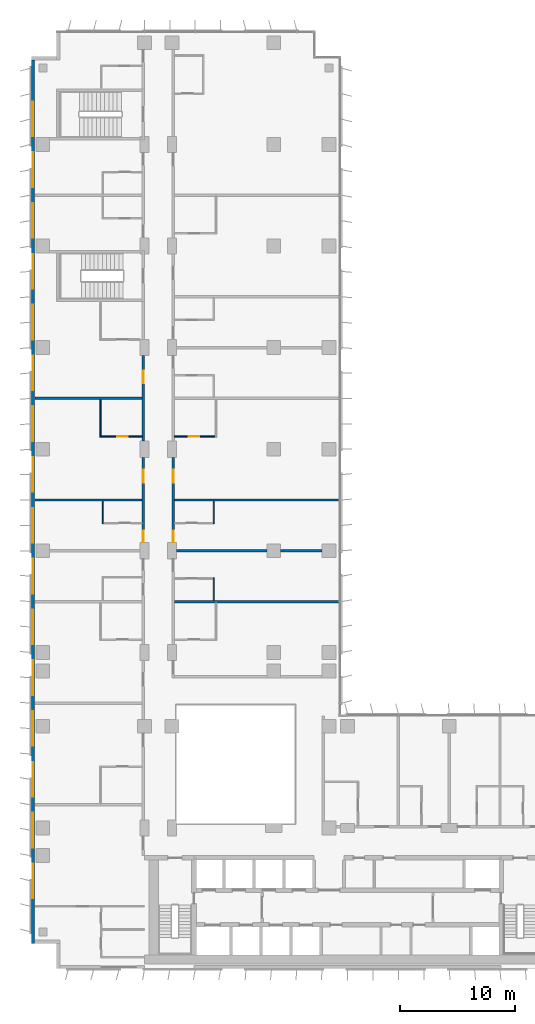
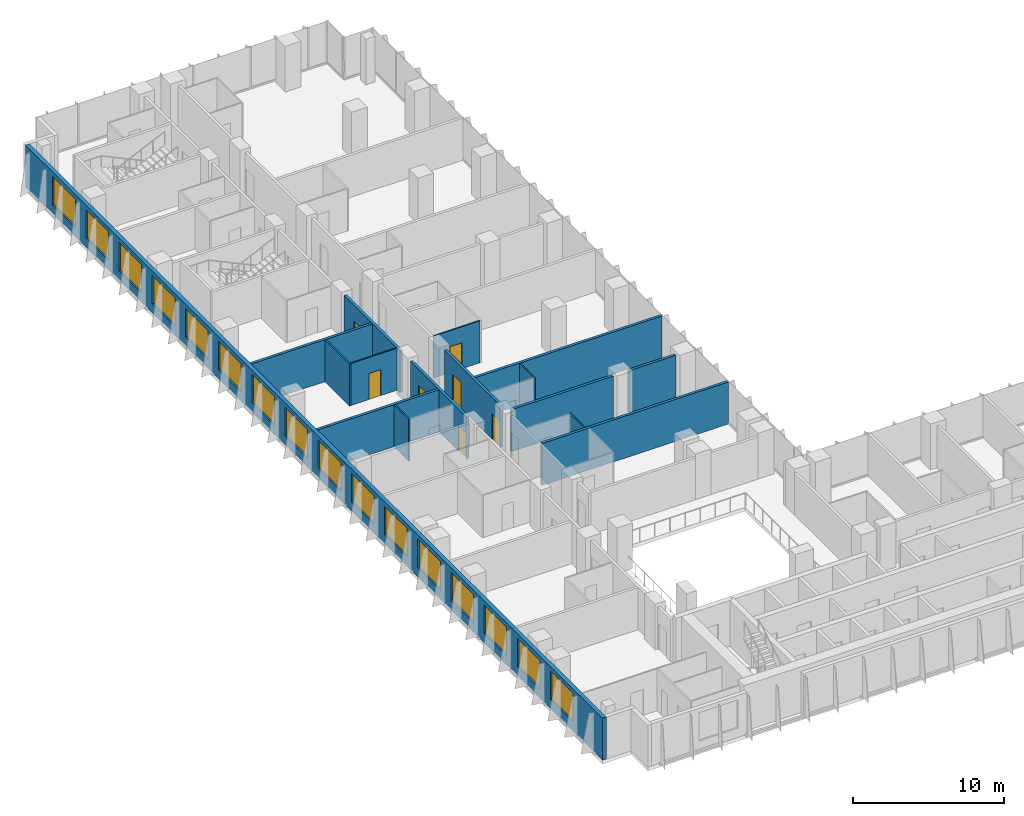
# One storey, part 16 of 23: 16 walls, 16 windows, 7 doors, 23 openings.
"""IFC4 building model written with IfcOpenShell, lengths in metres."""

from ifc_helpers import new_model, si_unit, direction, frame, frame_2d, origin, place, context, subcontext, project, spatial, rectangle, extrude, material, layer, layer_set, type_object, element, fill, save


model = new_model("IFC4")

# Units and contexts
model_context = context("Model", 3, precision=1e-05, world=origin(), true_north=direction((0.0, 1.0)))
body_context = subcontext(model_context, "Body", "Model", "MODEL_VIEW")
ifc_project = project(units=[si_unit("LENGTHUNIT", "METRE"), si_unit("AREAUNIT", "SQUARE_METRE"), si_unit("VOLUMEUNIT", "CUBIC_METRE"), si_unit("PLANEANGLEUNIT", "RADIAN"), si_unit("MASSUNIT", "GRAM", prefix="KILO")], contexts=[model_context])

# Site, building, storey
site_placement = place(None, origin())
site = spatial("IfcSite", under=ifc_project, at=site_placement, CompositionType="ELEMENT")
building_placement = place(site_placement, origin())
building = spatial("IfcBuilding", under=site, at=building_placement, Name="Kemantara Hotel Tower", CompositionType="ELEMENT")
storey_placement = place(building_placement, frame((0.0, 0.0, 142.0)))
storey = spatial("IfcBuildingStorey", under=building, at=storey_placement, Name="L34", CompositionType="ELEMENT", Elevation=142.0)

# Wall, openings, windows
ifc_material_1 = material(Name="Bronze anodised aluminium cladding on insulated steel stud wall", Category="steel")
ifc_layer_1 = layer(ifc_material_1, 0.300048828125)
ifc_layer_set_1 = layer_set([ifc_layer_1], Name="Bronze anodised aluminium cladding on insulated steel stud wall")
wall_type_1 = type_object("IfcWallType", Name="BRONZE METAL-CLAD EXTERNAL WALL 300", PredefinedType="STANDARD", material=ifc_layer_set_1)
wall_1_placement = place(storey_placement, frame((0.14990234375, 78.699951171875, 0.0), z_axis=(0.0, 0.0, 1.0), x_axis=(0.0, -1.0, 0.0)))
wall_1 = element("IfcWall", 1, at=wall_1_placement, inside=storey, type_object=wall_type_1, Name="EXTERNAL WALL L34 T2-R04", PredefinedType="STANDARD", context=body_context, shape_type="SweptSolid", body=[
    extrude(rectangle(XDim=76.5, YDim=0.300048828125, at=frame_2d((38.25, 0.0))), origin(), (0.0, 0.0, 1.0), 3.39990234375),
])
opening_1_placement = place(wall_1_placement, frame((3.60009765625, 0.0, 0.75)))
opening_1 = element("IfcOpeningElement", 2, at=opening_1_placement, cuts=wall_1, Name="Opening W1", PredefinedType="OPENING", context=body_context, shape_type="SweptSolid", body=[
    extrude(rectangle(XDim=3.0, YDim=2.300048828125, at=frame_2d((1.5, 1.14990234375))), frame((0.0, 0.159912109375, 0.0), z_axis=(0.0, -1.0, 0.0), x_axis=(1.0, 0.0, 0.0)), (0.0, 0.0, 1.0), 0.320068359375),
])
opening_2_placement = place(wall_1_placement, frame((8.0, 0.0, 0.75)))
opening_2 = element("IfcOpeningElement", 3, at=opening_2_placement, cuts=wall_1, Name="Opening W1", PredefinedType="OPENING", context=body_context, shape_type="SweptSolid", body=[
    extrude(rectangle(XDim=3.0, YDim=2.300048828125, at=frame_2d((1.5, 1.14990234375))), frame((0.0, 0.159912109375, 0.0), z_axis=(0.0, -1.0, 0.0), x_axis=(1.0, 0.0, 0.0)), (0.0, 0.0, 1.0), 0.320068359375),
])
opening_3_placement = place(wall_1_placement, frame((12.39990234375, 0.0, 0.75)))
opening_3 = element("IfcOpeningElement", 4, at=opening_3_placement, cuts=wall_1, Name="Opening W1", PredefinedType="OPENING", context=body_context, shape_type="SweptSolid", body=[
    extrude(rectangle(XDim=3.0, YDim=2.300048828125, at=frame_2d((1.5, 1.14990234375))), frame((0.0, 0.159912109375, 0.0), z_axis=(0.0, -1.0, 0.0), x_axis=(1.0, 0.0, 0.0)), (0.0, 0.0, 1.0), 0.320068359375),
])
opening_4_placement = place(wall_1_placement, frame((16.800048828125, 0.0, 0.75)))
opening_4 = element("IfcOpeningElement", 5, at=opening_4_placement, cuts=wall_1, Name="Opening W1", PredefinedType="OPENING", context=body_context, shape_type="SweptSolid", body=[
    extrude(rectangle(XDim=3.0, YDim=2.300048828125, at=frame_2d((1.5, 1.14990234375))), frame((0.0, 0.159912109375, 0.0), z_axis=(0.0, -1.0, 0.0), x_axis=(1.0, 0.0, 0.0)), (0.0, 0.0, 1.0), 0.320068359375),
])
opening_5_placement = place(wall_1_placement, frame((21.199951171875, 0.0, 0.75)))
opening_5 = element("IfcOpeningElement", 6, at=opening_5_placement, cuts=wall_1, Name="Opening W1", PredefinedType="OPENING", context=body_context, shape_type="SweptSolid", body=[
    extrude(rectangle(XDim=3.0, YDim=2.300048828125, at=frame_2d((1.5, 1.14990234375))), frame((0.0, 0.159912109375, 0.0), z_axis=(0.0, -1.0, 0.0), x_axis=(1.0, 0.0, 0.0)), (0.0, 0.0, 1.0), 0.320068359375),
])
opening_6_placement = place(wall_1_placement, frame((25.60009765625, 0.0, 0.75)))
opening_6 = element("IfcOpeningElement", 7, at=opening_6_placement, cuts=wall_1, Name="Opening W1", PredefinedType="OPENING", context=body_context, shape_type="SweptSolid", body=[
    extrude(rectangle(XDim=3.0, YDim=2.300048828125, at=frame_2d((1.5, 1.14990234375))), frame((0.0, 0.159912109375, 0.0), z_axis=(0.0, -1.0, 0.0), x_axis=(1.0, 0.0, 0.0)), (0.0, 0.0, 1.0), 0.320068359375),
])
opening_7_placement = place(wall_1_placement, frame((30.0, 0.0, 0.75)))
opening_7 = element("IfcOpeningElement", 8, at=opening_7_placement, cuts=wall_1, Name="Opening W1", PredefinedType="OPENING", context=body_context, shape_type="SweptSolid", body=[
    extrude(rectangle(XDim=3.0, YDim=2.300048828125, at=frame_2d((1.5, 1.14990234375))), frame((0.0, 0.159912109375, 0.0), z_axis=(0.0, -1.0, 0.0), x_axis=(1.0, 0.0, 0.0)), (0.0, 0.0, 1.0), 0.320068359375),
])
opening_8_placement = place(wall_1_placement, frame((34.39990234375, 0.0, 0.75)))
opening_8 = element("IfcOpeningElement", 9, at=opening_8_placement, cuts=wall_1, Name="Opening W1", PredefinedType="OPENING", context=body_context, shape_type="SweptSolid", body=[
    extrude(rectangle(XDim=3.0, YDim=2.300048828125, at=frame_2d((1.5, 1.14990234375))), frame((0.0, 0.159912109375, 0.0), z_axis=(0.0, -1.0, 0.0), x_axis=(1.0, 0.0, 0.0)), (0.0, 0.0, 1.0), 0.320068359375),
])
opening_9_placement = place(wall_1_placement, frame((38.800048828125, 0.0, 0.75)))
opening_9 = element("IfcOpeningElement", 10, at=opening_9_placement, cuts=wall_1, Name="Opening W1", PredefinedType="OPENING", context=body_context, shape_type="SweptSolid", body=[
    extrude(rectangle(XDim=3.0, YDim=2.300048828125, at=frame_2d((1.5, 1.14990234375))), frame((0.0, 0.159912109375, 0.0), z_axis=(0.0, -1.0, 0.0), x_axis=(1.0, 0.0, 0.0)), (0.0, 0.0, 1.0), 0.320068359375),
])
opening_10_placement = place(wall_1_placement, frame((43.199951171875, 0.0, 0.75)))
opening_10 = element("IfcOpeningElement", 11, at=opening_10_placement, cuts=wall_1, Name="Opening W1", PredefinedType="OPENING", context=body_context, shape_type="SweptSolid", body=[
    extrude(rectangle(XDim=3.0, YDim=2.300048828125, at=frame_2d((1.5, 1.14990234375))), frame((0.0, 0.159912109375, 0.0), z_axis=(0.0, -1.0, 0.0), x_axis=(1.0, 0.0, 0.0)), (0.0, 0.0, 1.0), 0.320068359375),
])
opening_11_placement = place(wall_1_placement, frame((47.60009765625, 0.0, 0.75)))
opening_11 = element("IfcOpeningElement", 12, at=opening_11_placement, cuts=wall_1, Name="Opening W1", PredefinedType="OPENING", context=body_context, shape_type="SweptSolid", body=[
    extrude(rectangle(XDim=3.0, YDim=2.300048828125, at=frame_2d((1.5, 1.14990234375))), frame((0.0, 0.159912109375, 0.0), z_axis=(0.0, -1.0, 0.0), x_axis=(1.0, 0.0, 0.0)), (0.0, 0.0, 1.0), 0.320068359375),
])
opening_12_placement = place(wall_1_placement, frame((52.0, 0.0, 0.75)))
opening_12 = element("IfcOpeningElement", 13, at=opening_12_placement, cuts=wall_1, Name="Opening W1", PredefinedType="OPENING", context=body_context, shape_type="SweptSolid", body=[
    extrude(rectangle(XDim=3.0, YDim=2.300048828125, at=frame_2d((1.5, 1.14990234375))), frame((0.0, 0.159912109375, 0.0), z_axis=(0.0, -1.0, 0.0), x_axis=(1.0, 0.0, 0.0)), (0.0, 0.0, 1.0), 0.320068359375),
])
opening_13_placement = place(wall_1_placement, frame((56.39990234375, 0.0, 0.75)))
opening_13 = element("IfcOpeningElement", 14, at=opening_13_placement, cuts=wall_1, Name="Opening W1", PredefinedType="OPENING", context=body_context, shape_type="SweptSolid", body=[
    extrude(rectangle(XDim=3.0, YDim=2.300048828125, at=frame_2d((1.5, 1.14990234375))), frame((0.0, 0.159912109375, 0.0), z_axis=(0.0, -1.0, 0.0), x_axis=(1.0, 0.0, 0.0)), (0.0, 0.0, 1.0), 0.320068359375),
])
opening_14_placement = place(wall_1_placement, frame((60.800048828125, 0.0, 0.75)))
opening_14 = element("IfcOpeningElement", 15, at=opening_14_placement, cuts=wall_1, Name="Opening W1", PredefinedType="OPENING", context=body_context, shape_type="SweptSolid", body=[
    extrude(rectangle(XDim=3.0, YDim=2.300048828125, at=frame_2d((1.5, 1.14990234375))), frame((0.0, 0.159912109375, 0.0), z_axis=(0.0, -1.0, 0.0), x_axis=(1.0, 0.0, 0.0)), (0.0, 0.0, 1.0), 0.320068359375),
])
opening_15_placement = place(wall_1_placement, frame((65.199951171875, 0.0, 0.75)))
opening_15 = element("IfcOpeningElement", 16, at=opening_15_placement, cuts=wall_1, Name="Opening W1", PredefinedType="OPENING", context=body_context, shape_type="SweptSolid", body=[
    extrude(rectangle(XDim=3.0, YDim=2.300048828125, at=frame_2d((1.5, 1.14990234375))), frame((0.0, 0.159912109375, 0.0), z_axis=(0.0, -1.0, 0.0), x_axis=(1.0, 0.0, 0.0)), (0.0, 0.0, 1.0), 0.320068359375),
])
opening_16_placement = place(wall_1_placement, frame((69.60009765625, 0.0, 0.75)))
opening_16 = element("IfcOpeningElement", 17, at=opening_16_placement, cuts=wall_1, Name="Opening W1", PredefinedType="OPENING", context=body_context, shape_type="SweptSolid", body=[
    extrude(rectangle(XDim=3.0, YDim=2.300048828125, at=frame_2d((1.5, 1.14990234375))), frame((0.0, 0.159912109375, 0.0), z_axis=(0.0, -1.0, 0.0), x_axis=(1.0, 0.0, 0.0)), (0.0, 0.0, 1.0), 0.320068359375),
])
ifc_material_2 = material(Name="Low-E tinted double insulated glass in bronze anodised aluminium frame", Category="aluminium")
window_type = type_object("IfcWindowType", Name="CHICAGO WINDOW, TRIPLE PANEL 3000x2300", PartitioningType="TRIPLE_PANEL_VERTICAL", PredefinedType="WINDOW", material=ifc_material_2)
window_1_placement = place(opening_1_placement, origin())
window_1 = element("IfcWindow", 18, at=window_1_placement, inside=storey, type_object=window_type, Name="CHICAGO WINDOW L34 T2-R04-54", OverallHeight=2.300048828125, OverallWidth=3.0, PartitioningType="SINGLE_PANEL", PredefinedType="WINDOW", context=body_context, shape_type="SweptSolid", body=[
    extrude(rectangle(XDim=3.0, YDim=2.300048828125, at=frame_2d((1.5, 1.14990234375))), frame((0.0, 0.030029296875, 0.0), z_axis=(0.0, -1.0, 0.0), x_axis=(1.0, 0.0, 0.0)), (0.0, 0.0, 1.0), 0.06005859375),
])
fill(opening_1, window_1)
window_2_placement = place(opening_2_placement, origin())
window_2 = element("IfcWindow", 19, at=window_2_placement, inside=storey, type_object=window_type, Name="CHICAGO WINDOW L34 T2-R04-98", OverallHeight=2.300048828125, OverallWidth=3.0, PartitioningType="SINGLE_PANEL", PredefinedType="WINDOW", context=body_context, shape_type="SweptSolid", body=[
    extrude(rectangle(XDim=3.0, YDim=2.300048828125, at=frame_2d((1.5, 1.14990234375))), frame((0.0, 0.030029296875, 0.0), z_axis=(0.0, -1.0, 0.0), x_axis=(1.0, 0.0, 0.0)), (0.0, 0.0, 1.0), 0.06005859375),
])
fill(opening_2, window_2)
window_3_placement = place(opening_3_placement, origin())
window_3 = element("IfcWindow", 20, at=window_3_placement, inside=storey, type_object=window_type, Name="CHICAGO WINDOW L34 T2-R04-142", OverallHeight=2.300048828125, OverallWidth=3.0, PartitioningType="SINGLE_PANEL", PredefinedType="WINDOW", context=body_context, shape_type="SweptSolid", body=[
    extrude(rectangle(XDim=3.0, YDim=2.300048828125, at=frame_2d((1.5, 1.14990234375))), frame((0.0, 0.030029296875, 0.0), z_axis=(0.0, -1.0, 0.0), x_axis=(1.0, 0.0, 0.0)), (0.0, 0.0, 1.0), 0.06005859375),
])
fill(opening_3, window_3)
window_4_placement = place(opening_4_placement, origin())
window_4 = element("IfcWindow", 21, at=window_4_placement, inside=storey, type_object=window_type, Name="CHICAGO WINDOW L34 T2-R04-186", OverallHeight=2.300048828125, OverallWidth=3.0, PartitioningType="SINGLE_PANEL", PredefinedType="WINDOW", context=body_context, shape_type="SweptSolid", body=[
    extrude(rectangle(XDim=3.0, YDim=2.300048828125, at=frame_2d((1.5, 1.14990234375))), frame((0.0, 0.030029296875, 0.0), z_axis=(0.0, -1.0, 0.0), x_axis=(1.0, 0.0, 0.0)), (0.0, 0.0, 1.0), 0.06005859375),
])
fill(opening_4, window_4)
window_5_placement = place(opening_5_placement, origin())
window_5 = element("IfcWindow", 22, at=window_5_placement, inside=storey, type_object=window_type, Name="CHICAGO WINDOW L34 T2-R04-230", OverallHeight=2.300048828125, OverallWidth=3.0, PartitioningType="SINGLE_PANEL", PredefinedType="WINDOW", context=body_context, shape_type="SweptSolid", body=[
    extrude(rectangle(XDim=3.0, YDim=2.300048828125, at=frame_2d((1.5, 1.14990234375))), frame((0.0, 0.030029296875, 0.0), z_axis=(0.0, -1.0, 0.0), x_axis=(1.0, 0.0, 0.0)), (0.0, 0.0, 1.0), 0.06005859375),
])
fill(opening_5, window_5)
window_6_placement = place(opening_6_placement, origin())
window_6 = element("IfcWindow", 23, at=window_6_placement, inside=storey, type_object=window_type, Name="CHICAGO WINDOW L34 T2-R04-274", OverallHeight=2.300048828125, OverallWidth=3.0, PartitioningType="SINGLE_PANEL", PredefinedType="WINDOW", context=body_context, shape_type="SweptSolid", body=[
    extrude(rectangle(XDim=3.0, YDim=2.300048828125, at=frame_2d((1.5, 1.14990234375))), frame((0.0, 0.030029296875, 0.0), z_axis=(0.0, -1.0, 0.0), x_axis=(1.0, 0.0, 0.0)), (0.0, 0.0, 1.0), 0.06005859375),
])
fill(opening_6, window_6)
window_7_placement = place(opening_7_placement, origin())
window_7 = element("IfcWindow", 24, at=window_7_placement, inside=storey, type_object=window_type, Name="CHICAGO WINDOW L34 T2-R04-318", OverallHeight=2.300048828125, OverallWidth=3.0, PartitioningType="SINGLE_PANEL", PredefinedType="WINDOW", context=body_context, shape_type="SweptSolid", body=[
    extrude(rectangle(XDim=3.0, YDim=2.300048828125, at=frame_2d((1.5, 1.14990234375))), frame((0.0, 0.030029296875, 0.0), z_axis=(0.0, -1.0, 0.0), x_axis=(1.0, 0.0, 0.0)), (0.0, 0.0, 1.0), 0.06005859375),
])
fill(opening_7, window_7)
window_8_placement = place(opening_8_placement, origin())
window_8 = element("IfcWindow", 25, at=window_8_placement, inside=storey, type_object=window_type, Name="CHICAGO WINDOW L34 T2-R04-362", OverallHeight=2.300048828125, OverallWidth=3.0, PartitioningType="SINGLE_PANEL", PredefinedType="WINDOW", context=body_context, shape_type="SweptSolid", body=[
    extrude(rectangle(XDim=3.0, YDim=2.300048828125, at=frame_2d((1.5, 1.14990234375))), frame((0.0, 0.030029296875, 0.0), z_axis=(0.0, -1.0, 0.0), x_axis=(1.0, 0.0, 0.0)), (0.0, 0.0, 1.0), 0.06005859375),
])
fill(opening_8, window_8)
window_9_placement = place(opening_9_placement, origin())
window_9 = element("IfcWindow", 26, at=window_9_placement, inside=storey, type_object=window_type, Name="CHICAGO WINDOW L34 T2-R04-406", OverallHeight=2.300048828125, OverallWidth=3.0, PartitioningType="SINGLE_PANEL", PredefinedType="WINDOW", context=body_context, shape_type="SweptSolid", body=[
    extrude(rectangle(XDim=3.0, YDim=2.300048828125, at=frame_2d((1.5, 1.14990234375))), frame((0.0, 0.030029296875, 0.0), z_axis=(0.0, -1.0, 0.0), x_axis=(1.0, 0.0, 0.0)), (0.0, 0.0, 1.0), 0.06005859375),
])
fill(opening_9, window_9)
window_10_placement = place(opening_10_placement, origin())
window_10 = element("IfcWindow", 27, at=window_10_placement, inside=storey, type_object=window_type, Name="CHICAGO WINDOW L34 T2-R04-450", OverallHeight=2.300048828125, OverallWidth=3.0, PartitioningType="SINGLE_PANEL", PredefinedType="WINDOW", context=body_context, shape_type="SweptSolid", body=[
    extrude(rectangle(XDim=3.0, YDim=2.300048828125, at=frame_2d((1.5, 1.14990234375))), frame((0.0, 0.030029296875, 0.0), z_axis=(0.0, -1.0, 0.0), x_axis=(1.0, 0.0, 0.0)), (0.0, 0.0, 1.0), 0.06005859375),
])
fill(opening_10, window_10)
window_11_placement = place(opening_11_placement, origin())
window_11 = element("IfcWindow", 28, at=window_11_placement, inside=storey, type_object=window_type, Name="CHICAGO WINDOW L34 T2-R04-494", OverallHeight=2.300048828125, OverallWidth=3.0, PartitioningType="SINGLE_PANEL", PredefinedType="WINDOW", context=body_context, shape_type="SweptSolid", body=[
    extrude(rectangle(XDim=3.0, YDim=2.300048828125, at=frame_2d((1.5, 1.14990234375))), frame((0.0, 0.030029296875, 0.0), z_axis=(0.0, -1.0, 0.0), x_axis=(1.0, 0.0, 0.0)), (0.0, 0.0, 1.0), 0.06005859375),
])
fill(opening_11, window_11)
window_12_placement = place(opening_12_placement, origin())
window_12 = element("IfcWindow", 29, at=window_12_placement, inside=storey, type_object=window_type, Name="CHICAGO WINDOW L34 T2-R04-538", OverallHeight=2.300048828125, OverallWidth=3.0, PartitioningType="SINGLE_PANEL", PredefinedType="WINDOW", context=body_context, shape_type="SweptSolid", body=[
    extrude(rectangle(XDim=3.0, YDim=2.300048828125, at=frame_2d((1.5, 1.14990234375))), frame((0.0, 0.030029296875, 0.0), z_axis=(0.0, -1.0, 0.0), x_axis=(1.0, 0.0, 0.0)), (0.0, 0.0, 1.0), 0.06005859375),
])
fill(opening_12, window_12)
window_13_placement = place(opening_13_placement, origin())
window_13 = element("IfcWindow", 30, at=window_13_placement, inside=storey, type_object=window_type, Name="CHICAGO WINDOW L34 T2-R04-582", OverallHeight=2.300048828125, OverallWidth=3.0, PartitioningType="SINGLE_PANEL", PredefinedType="WINDOW", context=body_context, shape_type="SweptSolid", body=[
    extrude(rectangle(XDim=3.0, YDim=2.300048828125, at=frame_2d((1.5, 1.14990234375))), frame((0.0, 0.030029296875, 0.0), z_axis=(0.0, -1.0, 0.0), x_axis=(1.0, 0.0, 0.0)), (0.0, 0.0, 1.0), 0.06005859375),
])
fill(opening_13, window_13)
window_14_placement = place(opening_14_placement, origin())
window_14 = element("IfcWindow", 31, at=window_14_placement, inside=storey, type_object=window_type, Name="CHICAGO WINDOW L34 T2-R04-626", OverallHeight=2.300048828125, OverallWidth=3.0, PartitioningType="SINGLE_PANEL", PredefinedType="WINDOW", context=body_context, shape_type="SweptSolid", body=[
    extrude(rectangle(XDim=3.0, YDim=2.300048828125, at=frame_2d((1.5, 1.14990234375))), frame((0.0, 0.030029296875, 0.0), z_axis=(0.0, -1.0, 0.0), x_axis=(1.0, 0.0, 0.0)), (0.0, 0.0, 1.0), 0.06005859375),
])
fill(opening_14, window_14)
window_15_placement = place(opening_15_placement, origin())
window_15 = element("IfcWindow", 32, at=window_15_placement, inside=storey, type_object=window_type, Name="CHICAGO WINDOW L34 T2-R04-670", OverallHeight=2.300048828125, OverallWidth=3.0, PartitioningType="SINGLE_PANEL", PredefinedType="WINDOW", context=body_context, shape_type="SweptSolid", body=[
    extrude(rectangle(XDim=3.0, YDim=2.300048828125, at=frame_2d((1.5, 1.14990234375))), frame((0.0, 0.030029296875, 0.0), z_axis=(0.0, -1.0, 0.0), x_axis=(1.0, 0.0, 0.0)), (0.0, 0.0, 1.0), 0.06005859375),
])
fill(opening_15, window_15)
window_16_placement = place(opening_16_placement, origin())
window_16 = element("IfcWindow", 33, at=window_16_placement, inside=storey, type_object=window_type, Name="CHICAGO WINDOW L34 T2-R04-714", OverallHeight=2.300048828125, OverallWidth=3.0, PartitioningType="SINGLE_PANEL", PredefinedType="WINDOW", context=body_context, shape_type="SweptSolid", body=[
    extrude(rectangle(XDim=3.0, YDim=2.300048828125, at=frame_2d((1.5, 1.14990234375))), frame((0.0, 0.030029296875, 0.0), z_axis=(0.0, -1.0, 0.0), x_axis=(1.0, 0.0, 0.0)), (0.0, 0.0, 1.0), 0.06005859375),
])
fill(opening_16, window_16)

# Wall, openings, doors
ifc_material_3 = material(Name="Gypsum board partition, steel studs and mineral wool, 200 mm", Category="steel")
ifc_layer_2 = layer(ifc_material_3, 0.199951171875)
ifc_layer_set_2 = layer_set([ifc_layer_2], Name="Gypsum board partition, steel studs and mineral wool, 200 mm")
wall_type_2 = type_object("IfcWallType", Name="CORRIDOR WALL 200", PredefinedType="PARTITIONING", material=ifc_layer_set_2)
wall_2_placement = place(storey_placement, frame((9.699951171875, 36.900146484375, 0.0), z_axis=(0.0, 0.0, 1.0), x_axis=(0.0, 1.0, 0.0)))
wall_2 = element("IfcWall", 34, at=wall_2_placement, inside=storey, type_object=wall_type_2, Name="CORRIDOR WALL 200 021", PredefinedType="PARTITIONING", context=body_context, shape_type="SweptSolid", body=[
    extrude(rectangle(XDim=7.399658203125, YDim=0.199951171875, at=frame_2d((3.69970703125, 0.0))), origin(), (0.0, 0.0, 1.0), 3.39990234375),
])
opening_17_placement = place(wall_2_placement, frame((0.0498046875, 0.0, 0.0)))
opening_17 = element("IfcOpeningElement", 35, at=opening_17_placement, cuts=wall_2, Name="Opening F15-029", PredefinedType="OPENING", context=body_context, shape_type="SweptSolid", body=[
    extrude(rectangle(XDim=1.0, YDim=2.10009765625, at=frame_2d((0.5, 1.050048828125))), frame((0.0, 0.10986328125, 0.0), z_axis=(0.0, -1.0, 0.0), x_axis=(1.0, 0.0, 0.0)), (0.0, 0.0, 1.0), 0.219970703125),
])
opening_18_placement = place(wall_2_placement, frame((5.199951171875, 0.0, 0.0)))
opening_18 = element("IfcOpeningElement", 36, at=opening_18_placement, cuts=wall_2, Name="Opening F15-031", PredefinedType="OPENING", context=body_context, shape_type="SweptSolid", body=[
    extrude(rectangle(XDim=1.10009765625, YDim=2.10009765625, at=frame_2d((0.550048828125, 1.050048828125))), frame((0.0, 0.10986328125, 0.0), z_axis=(0.0, -1.0, 0.0), x_axis=(1.0, 0.0, 0.0)), (0.0, 0.0, 1.0), 0.219970703125),
])
ifc_material_4 = material(Name="Hardwood veneer door leaf with steel frame", Category="steel")
door_type_1 = type_object("IfcDoorType", Name="GUEST ROOM DOOR 1000 X 2100 FD30S", OperationType="NOTDEFINED", PredefinedType="DOOR", material=ifc_material_4)
door_1_placement = place(opening_17_placement, origin())
door_1 = element("IfcDoor", 37, at=door_1_placement, inside=storey, type_object=door_type_1, Name="GUEST ROOM DOOR F15-029", OperationType="SINGLE_SWING_LEFT", OverallHeight=2.10009765625, OverallWidth=1.0, PredefinedType="DOOR", context=body_context, shape_type="SweptSolid", body=[
    extrude(rectangle(XDim=1.0, YDim=2.10009765625, at=frame_2d((0.5, 1.050048828125))), frame((0.0, 0.02490234375, 0.0), z_axis=(0.0, -1.0, 0.0), x_axis=(1.0, 0.0, 0.0)), (0.0, 0.0, 1.0), 0.050048828125),
])
fill(opening_17, door_1)
door_type_2 = type_object("IfcDoorType", Name="SUITE ENTRANCE DOOR 1100 X 2100 FD30S", OperationType="NOTDEFINED", PredefinedType="DOOR", material=ifc_material_4)
door_2_placement = place(opening_18_placement, origin())
door_2 = element("IfcDoor", 38, at=door_2_placement, inside=storey, type_object=door_type_2, Name="SUITE ENTRANCE DOOR F15-031", OperationType="SINGLE_SWING_LEFT", OverallHeight=2.10009765625, OverallWidth=1.10009765625, PredefinedType="DOOR", context=body_context, shape_type="SweptSolid", body=[
    extrude(rectangle(XDim=1.10009765625, YDim=2.10009765625, at=frame_2d((0.550048828125, 1.050048828125))), frame((0.0, 0.02490234375, 0.0), z_axis=(0.0, -1.0, 0.0), x_axis=(1.0, 0.0, 0.0)), (0.0, 0.0, 1.0), 0.050048828125),
])
fill(opening_18, door_2)

# Wall, opening, door
wall_3_placement = place(storey_placement, frame((9.699951171875, 45.7001953125, 0.0), z_axis=(0.0, 0.0, 1.0), x_axis=(0.0, 1.0, 0.0)))
wall_3 = element("IfcWall", 39, at=wall_3_placement, inside=storey, type_object=wall_type_2, Name="CORRIDOR WALL 200 022", PredefinedType="PARTITIONING", context=body_context, shape_type="SweptSolid", body=[
    extrude(rectangle(XDim=7.399658203125, YDim=0.199951171875, at=frame_2d((3.69970703125, 0.0))), origin(), (0.0, 0.0, 1.0), 3.39990234375),
])
opening_19_placement = place(wall_3_placement, frame((5.0, 0.0, 0.0)))
opening_19 = element("IfcOpeningElement", 40, at=opening_19_placement, cuts=wall_3, Name="Opening F15-033", PredefinedType="OPENING", context=body_context, shape_type="SweptSolid", body=[
    extrude(rectangle(XDim=1.10009765625, YDim=2.10009765625, at=frame_2d((0.550048828125, 1.050048828125))), frame((0.0, 0.10986328125, 0.0), z_axis=(0.0, -1.0, 0.0), x_axis=(1.0, 0.0, 0.0)), (0.0, 0.0, 1.0), 0.219970703125),
])
door_3_placement = place(opening_19_placement, origin())
door_3 = element("IfcDoor", 41, at=door_3_placement, inside=storey, type_object=door_type_2, Name="SUITE ENTRANCE DOOR F15-033", OperationType="SINGLE_SWING_LEFT", OverallHeight=2.10009765625, OverallWidth=1.10009765625, PredefinedType="DOOR", context=body_context, shape_type="SweptSolid", body=[
    extrude(rectangle(XDim=1.10009765625, YDim=2.10009765625, at=frame_2d((0.550048828125, 1.050048828125))), frame((0.0, 0.02490234375, 0.0), z_axis=(0.0, -1.0, 0.0), x_axis=(1.0, 0.0, 0.0)), (0.0, 0.0, 1.0), 0.050048828125),
])
fill(opening_19, door_3)

# Wall, openings, doors
wall_4_placement = place(storey_placement, frame((12.300048828125, 44.2998046875, 0.0), z_axis=(0.0, 0.0, 1.0), x_axis=(0.0, -1.0, 0.0)))
wall_4 = element("IfcWall", 42, at=wall_4_placement, inside=storey, type_object=wall_type_2, Name="CORRIDOR WALL 200 041", PredefinedType="PARTITIONING", context=body_context, shape_type="SweptSolid", body=[
    extrude(rectangle(XDim=7.399658203125, YDim=0.199951171875, at=frame_2d((3.69970703125, 0.0))), origin(), (0.0, 0.0, 1.0), 3.39990234375),
])
opening_20_placement = place(wall_4_placement, frame((6.349853515625, 0.0, 0.0)))
opening_20 = element("IfcOpeningElement", 43, at=opening_20_placement, cuts=wall_4, Name="Opening F15-045", PredefinedType="OPENING", context=body_context, shape_type="SweptSolid", body=[
    extrude(rectangle(XDim=1.0, YDim=2.10009765625, at=frame_2d((0.5, 1.050048828125))), frame((0.0, 0.10986328125, 0.0), z_axis=(0.0, -1.0, 0.0), x_axis=(1.0, 0.0, 0.0)), (0.0, 0.0, 1.0), 0.219970703125),
])
opening_21_placement = place(wall_4_placement, frame((1.099853515625, 0.0, 0.0)))
opening_21 = element("IfcOpeningElement", 44, at=opening_21_placement, cuts=wall_4, Name="Opening F15-047", PredefinedType="OPENING", context=body_context, shape_type="SweptSolid", body=[
    extrude(rectangle(XDim=1.10009765625, YDim=2.10009765625, at=frame_2d((0.550048828125, 1.050048828125))), frame((0.0, 0.10986328125, 0.0), z_axis=(0.0, -1.0, 0.0), x_axis=(1.0, 0.0, 0.0)), (0.0, 0.0, 1.0), 0.219970703125),
])
door_4_placement = place(opening_20_placement, origin())
door_4 = element("IfcDoor", 45, at=door_4_placement, inside=storey, type_object=door_type_1, Name="GUEST ROOM DOOR F15-045", OperationType="SINGLE_SWING_RIGHT", OverallHeight=2.10009765625, OverallWidth=1.0, PredefinedType="DOOR", context=body_context, shape_type="SweptSolid", body=[
    extrude(rectangle(XDim=1.0, YDim=2.10009765625, at=frame_2d((0.5, 1.050048828125))), frame((0.0, 0.02490234375, 0.0), z_axis=(0.0, -1.0, 0.0), x_axis=(1.0, 0.0, 0.0)), (0.0, 0.0, 1.0), 0.050048828125),
])
fill(opening_20, door_4)
door_5_placement = place(opening_21_placement, origin())
door_5 = element("IfcDoor", 46, at=door_5_placement, inside=storey, type_object=door_type_2, Name="SUITE ENTRANCE DOOR F15-047", OperationType="SINGLE_SWING_RIGHT", OverallHeight=2.10009765625, OverallWidth=1.10009765625, PredefinedType="DOOR", context=body_context, shape_type="SweptSolid", body=[
    extrude(rectangle(XDim=1.10009765625, YDim=2.10009765625, at=frame_2d((0.550048828125, 1.050048828125))), frame((0.0, 0.02490234375, 0.0), z_axis=(0.0, -1.0, 0.0), x_axis=(1.0, 0.0, 0.0)), (0.0, 0.0, 1.0), 0.050048828125),
])
fill(opening_21, door_5)

# Walls
ifc_layer_3 = layer(ifc_material_3, 0.199951171875)
ifc_layer_set_3 = layer_set([ifc_layer_3], Name="Gypsum board partition, steel studs and mineral wool, 200 mm")
wall_type_3 = type_object("IfcWallType", Name="GUEST ROOM PARTY WALL 200", PredefinedType="PARTITIONING", material=ifc_layer_set_3)
wall_5_placement = place(storey_placement, frame((12.39990234375, 31.800048828125, 0.0), z_axis=(0.0, 0.0, 1.0), x_axis=(1.0, 0.0, 0.0)))
element("IfcWall", 47, at=wall_5_placement, inside=storey, type_object=wall_type_3, Name="GUEST ROOM PARTY WALL 200 029", PredefinedType="PARTITIONING", context=body_context, shape_type="SweptSolid", body=[
    extrude(rectangle(XDim=14.27001953125, YDim=0.199951171875, at=frame_2d((7.135009765625, 0.0))), origin(), (0.0, 0.0, 1.0), 3.39990234375),
])
wall_6_placement = place(storey_placement, frame((12.60009765625, 36.199951171875, 0.0), z_axis=(0.0, 0.0, 1.0), x_axis=(1.0, 0.0, 0.0)))
element("IfcWall", 48, at=wall_6_placement, inside=storey, type_object=wall_type_3, Name="GUEST ROOM PARTY WALL 200 031", PredefinedType="PARTITIONING", context=body_context, shape_type="SweptSolid", body=[
    extrude(rectangle(XDim=7.7998046875, YDim=0.199951171875, at=frame_2d((3.89990234375, 0.0))), origin(), (0.0, 0.0, 1.0), 3.39990234375),
])
wall_7_placement = place(storey_placement, frame((21.60009765625, 36.199951171875, 0.0), z_axis=(0.0, 0.0, 1.0), x_axis=(1.0, 0.0, 0.0)))
element("IfcWall", 49, at=wall_7_placement, inside=storey, type_object=wall_type_3, Name="GUEST ROOM PARTY WALL 200 032", PredefinedType="PARTITIONING", context=body_context, shape_type="SweptSolid", body=[
    extrude(rectangle(XDim=3.599853515625, YDim=0.199951171875, at=frame_2d((1.7998046875, 0.0))), origin(), (0.0, 0.0, 1.0), 3.39990234375),
])
wall_8_placement = place(storey_placement, frame((0.31005859375, 40.60009765625, 0.0), z_axis=(0.0, 0.0, 1.0), x_axis=(1.0, 0.0, 0.0)))
element("IfcWall", 50, at=wall_8_placement, inside=storey, type_object=wall_type_3, Name="GUEST ROOM PARTY WALL 200 033", PredefinedType="PARTITIONING", context=body_context, shape_type="SweptSolid", body=[
    extrude(rectangle(XDim=9.2900390625, YDim=0.199951171875, at=frame_2d((4.64501953125, 0.0))), origin(), (0.0, 0.0, 1.0), 3.39990234375),
])
wall_9_placement = place(storey_placement, frame((12.39990234375, 40.60009765625, 0.0), z_axis=(0.0, 0.0, 1.0), x_axis=(1.0, 0.0, 0.0)))
element("IfcWall", 51, at=wall_9_placement, inside=storey, type_object=wall_type_3, Name="GUEST ROOM PARTY WALL 200 034", PredefinedType="PARTITIONING", context=body_context, shape_type="SweptSolid", body=[
    extrude(rectangle(XDim=14.27001953125, YDim=0.199951171875, at=frame_2d((7.135009765625, 0.0))), origin(), (0.0, 0.0, 1.0), 3.39990234375),
])
wall_10_placement = place(storey_placement, frame((0.31005859375, 49.39990234375, 0.0), z_axis=(0.0, 0.0, 1.0), x_axis=(1.0, 0.0, 0.0)))
element("IfcWall", 52, at=wall_10_placement, inside=storey, type_object=wall_type_3, Name="GUEST ROOM PARTY WALL 200 035", PredefinedType="PARTITIONING", context=body_context, shape_type="SweptSolid", body=[
    extrude(rectangle(XDim=9.2900390625, YDim=0.199951171875, at=frame_2d((4.64501953125, 0.0))), origin(), (0.0, 0.0, 1.0), 3.39990234375),
])
ifc_material_5 = material(Name="Gypsum board partition on steel studs, 100 mm", Category="steel")
ifc_layer_4 = layer(ifc_material_5, 0.10009765625)
ifc_layer_set_4 = layer_set([ifc_layer_4], Name="Gypsum board partition on steel studs, 100 mm")
wall_type_4 = type_object("IfcWallType", Name="ROOM PARTITION 100", PredefinedType="PARTITIONING", material=ifc_layer_set_4)
wall_11_placement = place(storey_placement, frame((6.0, 46.050048828125, 0.0), z_axis=(0.0, 0.0, 1.0), x_axis=(0.0, 1.0, 0.0)))
element("IfcWall", 53, at=wall_11_placement, inside=storey, type_object=wall_type_4, Name="ROOM PARTITION 100 077", PredefinedType="PARTITIONING", context=body_context, shape_type="SweptSolid", body=[
    extrude(rectangle(XDim=3.25, YDim=0.10009765625, at=frame_2d((1.625, 0.0))), origin(), (0.0, 0.0, 1.0), 3.39990234375),
])
wall_12_placement = place(storey_placement, frame((6.199951171875, 38.550048828125, 0.0), z_axis=(0.0, 0.0, 1.0), x_axis=(0.0, 1.0, 0.0)))
element("IfcWall", 54, at=wall_12_placement, inside=storey, type_object=wall_type_4, Name="ROOM PARTITION 100 083", PredefinedType="PARTITIONING", context=body_context, shape_type="SweptSolid", body=[
    extrude(rectangle(XDim=1.949951171875, YDim=0.10009765625, at=frame_2d((0.97509765625, 0.0))), origin(), (0.0, 0.0, 1.0), 3.39990234375),
])

# Wall, opening, door
wall_13_placement = place(storey_placement, frame((6.050048828125, 46.10009765625, 0.0), z_axis=(0.0, 0.0, 1.0), x_axis=(1.0, 0.0, 0.0)))
wall_13 = element("IfcWall", 55, at=wall_13_placement, inside=storey, type_object=wall_type_4, Name="ROOM PARTITION 100 089", PredefinedType="PARTITIONING", context=body_context, shape_type="SweptSolid", body=[
    extrude(rectangle(XDim=3.550048828125, YDim=0.10009765625, at=frame_2d((1.77490234375, 0.0))), origin(), (0.0, 0.0, 1.0), 3.39990234375),
])
opening_22_placement = place(wall_13_placement, frame((1.39990234375, 0.0, 0.0)))
opening_22 = element("IfcOpeningElement", 56, at=opening_22_placement, cuts=wall_13, Name="Opening F15-032", PredefinedType="OPENING", context=body_context, shape_type="SweptSolid", body=[
    extrude(rectangle(XDim=0.89990234375, YDim=2.10009765625, at=frame_2d((0.449951171875, 1.050048828125))), frame((0.0, 0.06005859375, 0.0), z_axis=(0.0, -1.0, 0.0), x_axis=(1.0, 0.0, 0.0)), (0.0, 0.0, 1.0), 0.1201171875),
])
door_type_3 = type_object("IfcDoorType", Name="BATHROOM DOOR 900 X 2100", OperationType="NOTDEFINED", PredefinedType="DOOR", material=ifc_material_4)
door_6_placement = place(opening_22_placement, origin())
door_6 = element("IfcDoor", 57, at=door_6_placement, inside=storey, type_object=door_type_3, Name="BATHROOM DOOR F15-032", OperationType="SINGLE_SWING_RIGHT", OverallHeight=2.10009765625, OverallWidth=0.89990234375, PredefinedType="DOOR", context=body_context, shape_type="SweptSolid", body=[
    extrude(rectangle(XDim=0.89990234375, YDim=2.10009765625, at=frame_2d((0.449951171875, 1.050048828125))), frame((0.0, 0.02490234375, 0.0), z_axis=(0.0, -1.0, 0.0), x_axis=(1.0, 0.0, 0.0)), (0.0, 0.0, 1.0), 0.050048828125),
])
fill(opening_22, door_6)

wall_14_placement = place(storey_placement, frame((12.39990234375, 46.10009765625, 0.0), z_axis=(0.0, 0.0, 1.0), x_axis=(1.0, 0.0, 0.0)))
wall_14 = element("IfcWall", 58, at=wall_14_placement, inside=storey, type_object=wall_type_4, Name="ROOM PARTITION 100 090", PredefinedType="PARTITIONING", context=body_context, shape_type="SweptSolid", body=[
    extrude(rectangle(XDim=3.550048828125, YDim=0.10009765625, at=frame_2d((1.77490234375, 0.0))), origin(), (0.0, 0.0, 1.0), 3.39990234375),
])
opening_23_placement = place(wall_14_placement, frame((1.25, 0.0, 0.0)))
opening_23 = element("IfcOpeningElement", 59, at=opening_23_placement, cuts=wall_14, Name="Opening F15-048", PredefinedType="OPENING", context=body_context, shape_type="SweptSolid", body=[
    extrude(rectangle(XDim=0.89990234375, YDim=2.10009765625, at=frame_2d((0.449951171875, 1.050048828125))), frame((0.0, 0.06005859375, 0.0), z_axis=(0.0, -1.0, 0.0), x_axis=(1.0, 0.0, 0.0)), (0.0, 0.0, 1.0), 0.1201171875),
])
door_7_placement = place(opening_23_placement, origin())
door_7 = element("IfcDoor", 60, at=door_7_placement, inside=storey, type_object=door_type_3, Name="BATHROOM DOOR F15-048", OperationType="SINGLE_SWING_LEFT", OverallHeight=2.10009765625, OverallWidth=0.89990234375, PredefinedType="DOOR", context=body_context, shape_type="SweptSolid", body=[
    extrude(rectangle(XDim=0.89990234375, YDim=2.10009765625, at=frame_2d((0.449951171875, 1.050048828125))), frame((0.0, 0.02490234375, 0.0), z_axis=(0.0, -1.0, 0.0), x_axis=(1.0, 0.0, 0.0)), (0.0, 0.0, 1.0), 0.050048828125),
])
fill(opening_23, door_7)

# Walls
wall_15_placement = place(storey_placement, frame((15.800048828125, 31.89990234375, 0.0), z_axis=(0.0, 0.0, 1.0), x_axis=(0.0, 1.0, 0.0)))
element("IfcWall", 61, at=wall_15_placement, inside=storey, type_object=wall_type_4, Name="ROOM PARTITION 100 098", PredefinedType="PARTITIONING", context=body_context, shape_type="SweptSolid", body=[
    extrude(rectangle(XDim=1.9501953125, YDim=0.10009765625, at=frame_2d((0.97509765625, 0.0))), origin(), (0.0, 0.0, 1.0), 3.39990234375),
])
wall_16_placement = place(storey_placement, frame((15.800048828125, 38.550048828125, 0.0), z_axis=(0.0, 0.0, 1.0), x_axis=(0.0, 1.0, 0.0)))
element("IfcWall", 62, at=wall_16_placement, inside=storey, type_object=wall_type_4, Name="ROOM PARTITION 100 099", PredefinedType="PARTITIONING", context=body_context, shape_type="SweptSolid", body=[
    extrude(rectangle(XDim=1.949951171875, YDim=0.10009765625, at=frame_2d((0.97509765625, 0.0))), origin(), (0.0, 0.0, 1.0), 3.39990234375),
])

save(model, "model.ifc")
